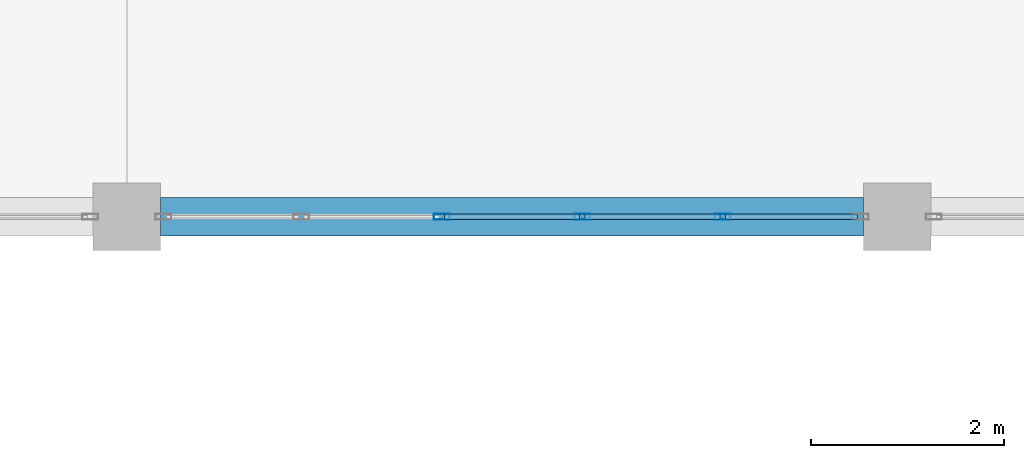
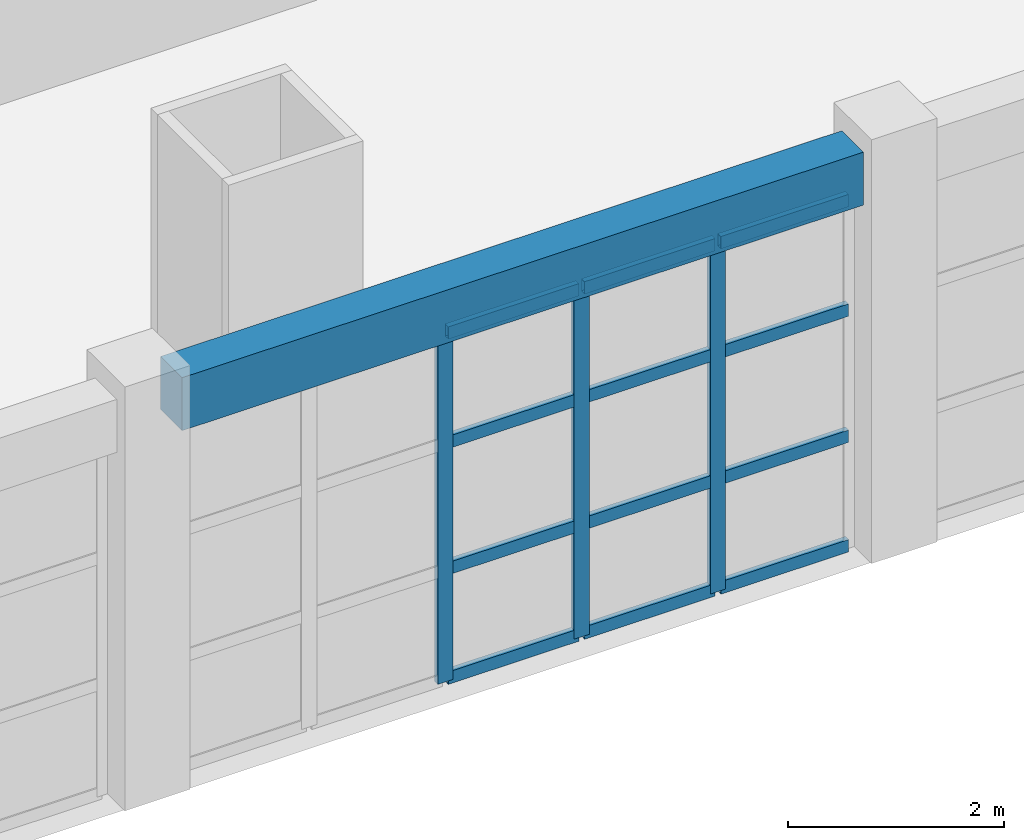
# One storey, part 8 of 50: 15 members, 1 beam, 1 element without a shape of its own.
"""IFC4 building model written with IfcOpenShell, lengths in metres."""

from ifc_helpers import new_model, si_unit, direction, frame, origin, origin_2d, place, context, subcontext, project, spatial, rectangle, hollow_rectangle, extrude, material, material_profile, profile_set, type_object, element, aggregate, save


model = new_model("IFC4")

# Units and contexts
model_context = context("Model", 3, precision=1e-05, world=origin(), true_north=direction((0.0, 1.0)))
body_context = subcontext(model_context, "Body", "Model", "MODEL_VIEW")
ifc_project = project(units=[si_unit("LENGTHUNIT", "METRE"), si_unit("AREAUNIT", "SQUARE_METRE"), si_unit("VOLUMEUNIT", "CUBIC_METRE"), si_unit("PLANEANGLEUNIT", "RADIAN"), si_unit("MASSUNIT", "GRAM", prefix="KILO")], contexts=[model_context])

# Site, building, storey
site_placement = place(None, origin())
site = spatial("IfcSite", under=ifc_project, at=site_placement, CompositionType="ELEMENT")
building_placement = place(site_placement, origin())
building = spatial("IfcBuilding", under=site, at=building_placement, Name="Zantavel Square City Hall", CompositionType="ELEMENT")
storey_placement = place(building_placement, frame((0.0, 0.0, 18.89990234375)))
storey = spatial("IfcBuildingStorey", under=building, at=storey_placement, Name="L05", CompositionType="ELEMENT", Elevation=18.89990234375)

# Curtain wall, members
ifc_material_1 = material(Name="Anodised aluminium 6063-T6", Category="aluminium")
curtain_wall_type = type_object("IfcCurtainWallType", Name="Curtain Wall TRV1 7300x3970", PredefinedType="USERDEFINED", material=ifc_material_1)
curtain_wall_placement = place(storey_placement, origin())
curtain_wall = element("IfcCurtainWall", 1, at=curtain_wall_placement, inside=storey, type_object=curtain_wall_type, Name="L05 Glazed Curtain Wall CW-L05-136", ObjectType="GLAZED CURTAIN WALL", PredefinedType="USERDEFINED")
ifc_material_profile_1 = material_profile(ifc_material_1, hollow_rectangle(XDim=0.06005859375, YDim=0.1650390625, WallThickness=0.00390625, at=origin_2d()), Name="ALU 60x165x4")
ifc_profile_set_1 = profile_set([ifc_material_profile_1], Name="Anodised aluminium 6063-T6")
member_type_1 = type_object("IfcMemberType", Name="CW Council Gallery Mullion ALU 60x165x4", PredefinedType="MULLION", material=ifc_profile_set_1)
member_1_placement = place(storey_placement, frame((86.18994140625, 30.39990234375, 0.0), z_axis=(0.0, 0.0, 1.0), x_axis=(0.0, -1.0, 0.0)))
member_1 = element("IfcMember", 2, at=member_1_placement, type_object=member_type_1, Name="CW-136 mullion 2", PredefinedType="MULLION", context=body_context, shape_type="SweptSolid", body=[
    extrude(hollow_rectangle(XDim=0.06005859375, YDim=0.1650390625, WallThickness=0.00390625, at=origin_2d()), origin(), (0.0, 0.0, 1.0), 3.97021484375),
])
member_2_placement = place(storey_placement, frame((84.72998046875, 30.39990234375, 0.0), z_axis=(0.0, 0.0, 1.0), x_axis=(0.0, -1.0, 0.0)))
member_2 = element("IfcMember", 3, at=member_2_placement, type_object=member_type_1, Name="CW-136 mullion 3", PredefinedType="MULLION", context=body_context, shape_type="SweptSolid", body=[
    extrude(hollow_rectangle(XDim=0.06005859375, YDim=0.1650390625, WallThickness=0.00390625, at=origin_2d()), origin(), (0.0, 0.0, 1.0), 3.97021484375),
])
member_3_placement = place(storey_placement, frame((83.27001953125, 30.39990234375, 0.0), z_axis=(0.0, 0.0, 1.0), x_axis=(0.0, -1.0, 0.0)))
member_3 = element("IfcMember", 4, at=member_3_placement, type_object=member_type_1, Name="CW-136 mullion 4", PredefinedType="MULLION", context=body_context, shape_type="SweptSolid", body=[
    extrude(hollow_rectangle(XDim=0.06005859375, YDim=0.1650390625, WallThickness=0.00390625, at=origin_2d()), origin(), (0.0, 0.0, 1.0), 3.97021484375),
])
ifc_material_profile_2 = material_profile(ifc_material_1, hollow_rectangle(XDim=0.06005859375, YDim=0.139892578125, WallThickness=0.00390625, at=origin_2d()), Name="ALU 60x140x4")
ifc_profile_set_2 = profile_set([ifc_material_profile_2], Name="Anodised aluminium 6063-T6")
member_type_2 = type_object("IfcMemberType", Name="CW Transom ALU 60x140x4", PredefinedType="USERDEFINED", material=ifc_profile_set_2)
member_4_placement = place(storey_placement, frame((87.590087890625, 30.39990234375, 0.030029296875), z_axis=(-1.0, 0.0, 0.0), x_axis=(0.0, -1.0, 0.0)))
member_4 = element("IfcMember", 5, at=member_4_placement, type_object=member_type_2, Name="CW-136 transom 1.1", ObjectType="TRANSOM", PredefinedType="USERDEFINED", context=body_context, shape_type="SweptSolid", body=[
    extrude(hollow_rectangle(XDim=0.06005859375, YDim=0.139892578125, WallThickness=0.00390625, at=origin_2d()), origin(), (0.0, 0.0, 1.0), 1.3701171875),
])
member_5_placement = place(storey_placement, frame((87.590087890625, 30.39990234375, 1.27001953125), z_axis=(-1.0, 0.0, 0.0), x_axis=(0.0, -1.0, 0.0)))
member_5 = element("IfcMember", 6, at=member_5_placement, type_object=member_type_2, Name="CW-136 transom 1.2", ObjectType="TRANSOM", PredefinedType="USERDEFINED", context=body_context, shape_type="SweptSolid", body=[
    extrude(hollow_rectangle(XDim=0.06005859375, YDim=0.139892578125, WallThickness=0.00390625, at=origin_2d()), origin(), (0.0, 0.0, 1.0), 1.3701171875),
])
member_6_placement = place(storey_placement, frame((87.590087890625, 30.39990234375, 2.7001953125), z_axis=(-1.0, 0.0, 0.0), x_axis=(0.0, -1.0, 0.0)))
member_6 = element("IfcMember", 7, at=member_6_placement, type_object=member_type_2, Name="CW-136 transom 1.3", ObjectType="TRANSOM", PredefinedType="USERDEFINED", context=body_context, shape_type="SweptSolid", body=[
    extrude(hollow_rectangle(XDim=0.06005859375, YDim=0.139892578125, WallThickness=0.00390625, at=origin_2d()), origin(), (0.0, 0.0, 1.0), 1.3701171875),
])
member_7_placement = place(storey_placement, frame((87.590087890625, 30.39990234375, 3.940185546875), z_axis=(-1.0, 0.0, 0.0), x_axis=(0.0, -1.0, 0.0)))
member_7 = element("IfcMember", 8, at=member_7_placement, type_object=member_type_2, Name="CW-136 transom 1.4", ObjectType="TRANSOM", PredefinedType="USERDEFINED", context=body_context, shape_type="SweptSolid", body=[
    extrude(hollow_rectangle(XDim=0.06005859375, YDim=0.139892578125, WallThickness=0.00390625, at=origin_2d()), origin(), (0.0, 0.0, 1.0), 1.3701171875),
])
member_8_placement = place(storey_placement, frame((86.159912109375, 30.39990234375, 0.030029296875), z_axis=(-1.0, 0.0, 0.0), x_axis=(0.0, -1.0, 0.0)))
member_8 = element("IfcMember", 9, at=member_8_placement, type_object=member_type_2, Name="CW-136 transom 2.1", ObjectType="TRANSOM", PredefinedType="USERDEFINED", context=body_context, shape_type="SweptSolid", body=[
    extrude(hollow_rectangle(XDim=0.06005859375, YDim=0.139892578125, WallThickness=0.00390625, at=origin_2d()), origin(), (0.0, 0.0, 1.0), 1.39990234375),
])
member_9_placement = place(storey_placement, frame((86.159912109375, 30.39990234375, 1.27001953125), z_axis=(-1.0, 0.0, 0.0), x_axis=(0.0, -1.0, 0.0)))
member_9 = element("IfcMember", 10, at=member_9_placement, type_object=member_type_2, Name="CW-136 transom 2.2", ObjectType="TRANSOM", PredefinedType="USERDEFINED", context=body_context, shape_type="SweptSolid", body=[
    extrude(hollow_rectangle(XDim=0.06005859375, YDim=0.139892578125, WallThickness=0.00390625, at=origin_2d()), origin(), (0.0, 0.0, 1.0), 1.39990234375),
])
member_10_placement = place(storey_placement, frame((86.159912109375, 30.39990234375, 2.7001953125), z_axis=(-1.0, 0.0, 0.0), x_axis=(0.0, -1.0, 0.0)))
member_10 = element("IfcMember", 11, at=member_10_placement, type_object=member_type_2, Name="CW-136 transom 2.3", ObjectType="TRANSOM", PredefinedType="USERDEFINED", context=body_context, shape_type="SweptSolid", body=[
    extrude(hollow_rectangle(XDim=0.06005859375, YDim=0.139892578125, WallThickness=0.00390625, at=origin_2d()), origin(), (0.0, 0.0, 1.0), 1.39990234375),
])
member_11_placement = place(storey_placement, frame((86.159912109375, 30.39990234375, 3.940185546875), z_axis=(-1.0, 0.0, 0.0), x_axis=(0.0, -1.0, 0.0)))
member_11 = element("IfcMember", 12, at=member_11_placement, type_object=member_type_2, Name="CW-136 transom 2.4", ObjectType="TRANSOM", PredefinedType="USERDEFINED", context=body_context, shape_type="SweptSolid", body=[
    extrude(hollow_rectangle(XDim=0.06005859375, YDim=0.139892578125, WallThickness=0.00390625, at=origin_2d()), origin(), (0.0, 0.0, 1.0), 1.39990234375),
])
member_12_placement = place(storey_placement, frame((84.699951171875, 30.39990234375, 0.030029296875), z_axis=(-1.0, 0.0, 0.0), x_axis=(0.0, -1.0, 0.0)))
member_12 = element("IfcMember", 13, at=member_12_placement, type_object=member_type_2, Name="CW-136 transom 3.1", ObjectType="TRANSOM", PredefinedType="USERDEFINED", context=body_context, shape_type="SweptSolid", body=[
    extrude(hollow_rectangle(XDim=0.06005859375, YDim=0.139892578125, WallThickness=0.00390625, at=origin_2d()), origin(), (0.0, 0.0, 1.0), 1.39990234375),
])
member_13_placement = place(storey_placement, frame((84.699951171875, 30.39990234375, 1.27001953125), z_axis=(-1.0, 0.0, 0.0), x_axis=(0.0, -1.0, 0.0)))
member_13 = element("IfcMember", 14, at=member_13_placement, type_object=member_type_2, Name="CW-136 transom 3.2", ObjectType="TRANSOM", PredefinedType="USERDEFINED", context=body_context, shape_type="SweptSolid", body=[
    extrude(hollow_rectangle(XDim=0.06005859375, YDim=0.139892578125, WallThickness=0.00390625, at=origin_2d()), origin(), (0.0, 0.0, 1.0), 1.39990234375),
])
member_14_placement = place(storey_placement, frame((84.699951171875, 30.39990234375, 2.7001953125), z_axis=(-1.0, 0.0, 0.0), x_axis=(0.0, -1.0, 0.0)))
member_14 = element("IfcMember", 15, at=member_14_placement, type_object=member_type_2, Name="CW-136 transom 3.3", ObjectType="TRANSOM", PredefinedType="USERDEFINED", context=body_context, shape_type="SweptSolid", body=[
    extrude(hollow_rectangle(XDim=0.06005859375, YDim=0.139892578125, WallThickness=0.00390625, at=origin_2d()), origin(), (0.0, 0.0, 1.0), 1.39990234375),
])
member_15_placement = place(storey_placement, frame((84.699951171875, 30.39990234375, 3.940185546875), z_axis=(-1.0, 0.0, 0.0), x_axis=(0.0, -1.0, 0.0)))
member_15 = element("IfcMember", 16, at=member_15_placement, type_object=member_type_2, Name="CW-136 transom 3.4", ObjectType="TRANSOM", PredefinedType="USERDEFINED", context=body_context, shape_type="SweptSolid", body=[
    extrude(hollow_rectangle(XDim=0.06005859375, YDim=0.139892578125, WallThickness=0.00390625, at=origin_2d()), origin(), (0.0, 0.0, 1.0), 1.39990234375),
])
aggregate(curtain_wall, [member_1, member_2, member_3, member_4, member_5, member_6, member_7, member_8, member_9, member_10, member_11, member_12, member_13, member_14, member_15])

# Beam
ifc_material_2 = material(Name="Concrete C35/45", Category="concrete")
ifc_material_profile_3 = material_profile(ifc_material_2, rectangle(XDim=0.39990234375, YDim=0.60009765625, at=origin_2d()), Name="RC 400x600")
ifc_profile_set_3 = profile_set([ifc_material_profile_3], Name="Concrete C35/45")
beam_type = type_object("IfcBeamType", Name="Perimeter Spandrel RC 400x600 C35/45", PredefinedType="SPANDREL", material=ifc_profile_set_3)
beam_placement = place(storey_placement, frame((80.35009765625, 30.39990234375, 4.27001953125), z_axis=(1.0, 0.0, 0.0), x_axis=(0.0, 1.0, 0.0)))
element("IfcBeam", 17, at=beam_placement, inside=storey, type_object=beam_type, Name="L05 Girder BMX-L05-0800-0304", PredefinedType="SPANDREL", context=body_context, shape_type="SweptSolid", body=[
    extrude(rectangle(XDim=0.39990234375, YDim=0.60009765625, at=origin_2d()), origin(), (0.0, 0.0, 1.0), 7.2998046875),
])

save(model, "model.ifc")
